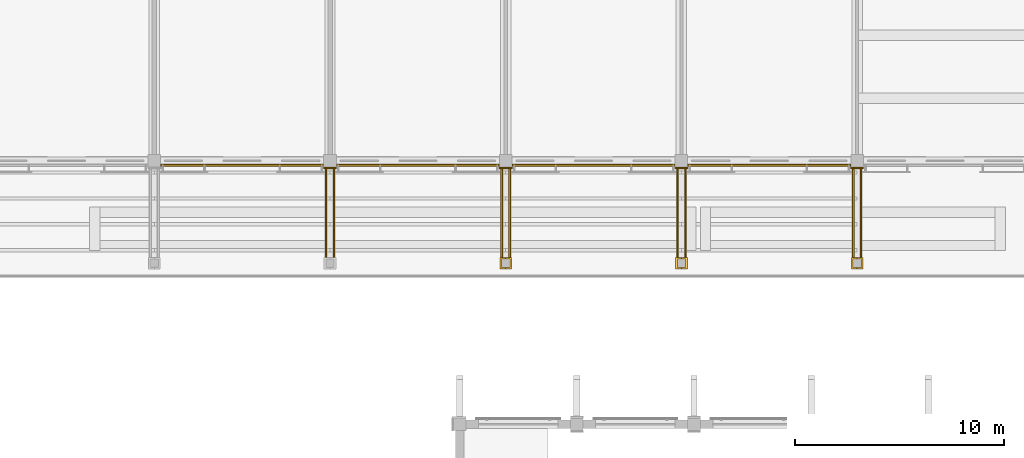
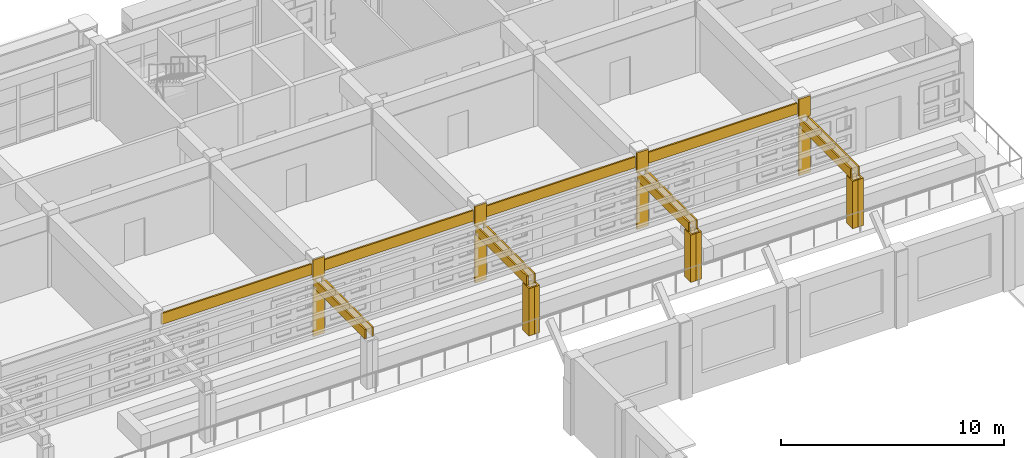
# One storey, part 61 of 68: 26 coverings.
"""IFC4 building model written with IfcOpenShell, lengths in metres."""

from ifc_helpers import new_model, si_unit, direction, frame, origin, place, context, subcontext, project, spatial, polyline, outline, extrude, material, layer, layer_set, type_object, element, save


model = new_model("IFC4")

# Units and contexts
model_context = context("Model", 3, precision=1e-05, world=origin(), true_north=direction((0.0, 1.0)))
body_context = subcontext(model_context, "Body", "Model", "MODEL_VIEW")
ifc_project = project(units=[si_unit("LENGTHUNIT", "METRE"), si_unit("AREAUNIT", "SQUARE_METRE"), si_unit("VOLUMEUNIT", "CUBIC_METRE"), si_unit("PLANEANGLEUNIT", "RADIAN"), si_unit("MASSUNIT", "GRAM", prefix="KILO")], contexts=[model_context])

# Site, building, storey
site_placement = place(None, origin())
site = spatial("IfcSite", under=ifc_project, at=site_placement, CompositionType="ELEMENT")
building_placement = place(site_placement, origin())
building = spatial("IfcBuilding", under=site, at=building_placement, Name="Wasatch Bagh Community Centre", CompositionType="ELEMENT")
storey_placement = place(building_placement, frame((0.0, 0.0, 8.39990234375)))
storey = spatial("IfcBuildingStorey", under=building, at=storey_placement, Name="L02", CompositionType="ELEMENT", Elevation=8.39990234375)

# Coverings
ifc_material = material(Name="Cast stone cladding", Category="masonry")
ifc_layer_1 = layer(ifc_material, 0.080078125)
ifc_layer_set_1 = layer_set([ifc_layer_1], Name="Cast stone cladding")
covering_type_1 = type_object("IfcCoveringType", Name="CL-B7 beam facing", PredefinedType="CLADDING", material=ifc_layer_set_1)
covering_1_placement = place(storey_placement, frame((0.0, 0.0, 3.320068359375)))
element("IfcCovering", 1, at=covering_1_placement, inside=storey, type_object=covering_type_1, Name="Beam facing", PredefinedType="CLADDING", context=body_context, shape_type="SweptSolid", body=[
    extrude(outline(polyline([(97.89990234375, 78.22509765625), (105.699951171875, 78.22509765625), (105.699951171875, 78.14501953125), (97.89990234375, 78.14501953125), (97.89990234375, 78.22509765625)])), origin(), (0.0, 0.0, 1.0), 0.60009765625),
])
covering_2_placement = place(storey_placement, frame((0.0, 0.0, 3.320068359375)))
element("IfcCovering", 2, at=covering_2_placement, inside=storey, type_object=covering_type_1, Name="Beam facing", PredefinedType="CLADDING", context=body_context, shape_type="SweptSolid", body=[
    extrude(outline(polyline([(106.300048828125, 78.22509765625), (114.10009765625, 78.22509765625), (114.10009765625, 78.14501953125), (106.300048828125, 78.14501953125), (106.300048828125, 78.22509765625)])), origin(), (0.0, 0.0, 1.0), 0.60009765625),
])
covering_3_placement = place(storey_placement, frame((0.0, 0.0, 3.320068359375)))
element("IfcCovering", 3, at=covering_3_placement, inside=storey, type_object=covering_type_1, Name="Beam facing", PredefinedType="CLADDING", context=body_context, shape_type="SweptSolid", body=[
    extrude(outline(polyline([(114.699951171875, 78.22509765625), (122.5, 78.22509765625), (122.5, 78.14501953125), (114.699951171875, 78.14501953125), (114.699951171875, 78.22509765625)])), origin(), (0.0, 0.0, 1.0), 0.60009765625),
])
covering_4_placement = place(storey_placement, frame((0.0, 0.0, 3.320068359375)))
element("IfcCovering", 4, at=covering_4_placement, inside=storey, type_object=covering_type_1, Name="Beam facing", PredefinedType="CLADDING", context=body_context, shape_type="SweptSolid", body=[
    extrude(outline(polyline([(123.10009765625, 78.22509765625), (130.89990234375, 78.22509765625), (130.89990234375, 78.14501953125), (123.10009765625, 78.14501953125), (123.10009765625, 78.22509765625)])), origin(), (0.0, 0.0, 1.0), 0.60009765625),
])
covering_5_placement = place(storey_placement, frame((0.0, 0.0, 2.60009765625)))
element("IfcCovering", 5, at=covering_5_placement, inside=storey, type_object=covering_type_1, Name="Beam facing", PredefinedType="CLADDING", context=body_context, shape_type="SweptSolid", body=[
    extrude(outline(polyline([(106.14990234375, 78.10009765625), (106.14990234375, 73.5), (106.22998046875, 73.5), (106.22998046875, 78.10009765625), (106.14990234375, 78.10009765625)])), origin(), (0.0, 0.0, 1.0), 0.5),
])
covering_6_placement = place(storey_placement, frame((0.0, 0.0, 2.60009765625)))
element("IfcCovering", 6, at=covering_6_placement, inside=storey, type_object=covering_type_1, Name="Beam facing", PredefinedType="CLADDING", context=body_context, shape_type="SweptSolid", body=[
    extrude(outline(polyline([(105.85009765625, 78.10009765625), (105.85009765625, 73.5), (105.77001953125, 73.5), (105.77001953125, 78.10009765625), (105.85009765625, 78.10009765625)])), origin(), (0.0, 0.0, 1.0), 0.5),
])
covering_7_placement = place(storey_placement, frame((0.0, 0.0, 2.60009765625)))
element("IfcCovering", 7, at=covering_7_placement, inside=storey, type_object=covering_type_1, Name="Beam facing", PredefinedType="CLADDING", context=body_context, shape_type="SweptSolid", body=[
    extrude(outline(polyline([(114.550048828125, 78.10009765625), (114.550048828125, 73.5), (114.6298828125, 73.5), (114.6298828125, 78.10009765625), (114.550048828125, 78.10009765625)])), origin(), (0.0, 0.0, 1.0), 0.5),
])
covering_8_placement = place(storey_placement, frame((0.0, 0.0, 2.60009765625)))
element("IfcCovering", 8, at=covering_8_placement, inside=storey, type_object=covering_type_1, Name="Beam facing", PredefinedType="CLADDING", context=body_context, shape_type="SweptSolid", body=[
    extrude(outline(polyline([(114.25, 78.10009765625), (114.25, 73.5), (114.169921875, 73.5), (114.169921875, 78.10009765625), (114.25, 78.10009765625)])), origin(), (0.0, 0.0, 1.0), 0.5),
])
covering_9_placement = place(storey_placement, frame((0.0, 0.0, 2.60009765625)))
element("IfcCovering", 9, at=covering_9_placement, inside=storey, type_object=covering_type_1, Name="Beam facing", PredefinedType="CLADDING", context=body_context, shape_type="SweptSolid", body=[
    extrude(outline(polyline([(122.949951171875, 78.10009765625), (122.949951171875, 73.5), (123.030029296875, 73.5), (123.030029296875, 78.10009765625), (122.949951171875, 78.10009765625)])), origin(), (0.0, 0.0, 1.0), 0.5),
])
covering_10_placement = place(storey_placement, frame((0.0, 0.0, 2.60009765625)))
element("IfcCovering", 10, at=covering_10_placement, inside=storey, type_object=covering_type_1, Name="Beam facing", PredefinedType="CLADDING", context=body_context, shape_type="SweptSolid", body=[
    extrude(outline(polyline([(122.64990234375, 78.10009765625), (122.64990234375, 73.5), (122.570068359375, 73.5), (122.570068359375, 78.10009765625), (122.64990234375, 78.10009765625)])), origin(), (0.0, 0.0, 1.0), 0.5),
])
covering_11_placement = place(storey_placement, frame((0.0, 0.0, 2.60009765625)))
element("IfcCovering", 11, at=covering_11_placement, inside=storey, type_object=covering_type_1, Name="Beam facing", PredefinedType="CLADDING", context=body_context, shape_type="SweptSolid", body=[
    extrude(outline(polyline([(131.35009765625, 78.10009765625), (131.35009765625, 73.5), (131.429931640625, 73.5), (131.429931640625, 78.10009765625), (131.35009765625, 78.10009765625)])), origin(), (0.0, 0.0, 1.0), 0.5),
])
covering_12_placement = place(storey_placement, frame((0.0, 0.0, 2.60009765625)))
element("IfcCovering", 12, at=covering_12_placement, inside=storey, type_object=covering_type_1, Name="Beam facing", PredefinedType="CLADDING", context=body_context, shape_type="SweptSolid", body=[
    extrude(outline(polyline([(131.050048828125, 78.10009765625), (131.050048828125, 73.5), (130.969970703125, 73.5), (130.969970703125, 78.10009765625), (131.050048828125, 78.10009765625)])), origin(), (0.0, 0.0, 1.0), 0.5),
])
ifc_layer_2 = layer(ifc_material, 0.080078125)
ifc_layer_set_2 = layer_set([ifc_layer_2], Name="Cast stone cladding")
covering_type_2 = type_object("IfcCoveringType", Name="CL-C1 column facing", PredefinedType="CLADDING", material=ifc_layer_set_2)
covering_13_placement = place(storey_placement, origin())
element("IfcCovering", 13, at=covering_13_placement, inside=storey, type_object=covering_type_2, Name="Column facing", PredefinedType="CLADDING", context=body_context, shape_type="SweptSolid", body=[
    extrude(outline(polyline([(105.699951171875, 78.10009765625), (106.300048828125, 78.10009765625), (106.300048828125, 78.02001953125), (105.699951171875, 78.02001953125), (105.699951171875, 78.10009765625)])), origin(), (0.0, 0.0, 1.0), 2.60009765625),
])
covering_14_placement = place(storey_placement, frame((0.0, 0.0, 3.10009765625)))
element("IfcCovering", 14, at=covering_14_placement, inside=storey, type_object=covering_type_2, Name="Column facing", PredefinedType="CLADDING", context=body_context, shape_type="SweptSolid", body=[
    extrude(outline(polyline([(105.699951171875, 78.10009765625), (106.300048828125, 78.10009765625), (106.300048828125, 78.02001953125), (105.699951171875, 78.02001953125), (105.699951171875, 78.10009765625)])), origin(), (0.0, 0.0, 1.0), 1.10009765625),
])
covering_15_placement = place(storey_placement, origin())
element("IfcCovering", 15, at=covering_15_placement, inside=storey, type_object=covering_type_2, Name="Column facing", PredefinedType="CLADDING", context=body_context, shape_type="SweptSolid", body=[
    extrude(outline(polyline([(114.10009765625, 78.10009765625), (114.699951171875, 78.10009765625), (114.699951171875, 78.02001953125), (114.10009765625, 78.02001953125), (114.10009765625, 78.10009765625)])), origin(), (0.0, 0.0, 1.0), 2.60009765625),
])
covering_16_placement = place(storey_placement, frame((0.0, 0.0, 3.10009765625)))
element("IfcCovering", 16, at=covering_16_placement, inside=storey, type_object=covering_type_2, Name="Column facing", PredefinedType="CLADDING", context=body_context, shape_type="SweptSolid", body=[
    extrude(outline(polyline([(114.10009765625, 78.10009765625), (114.699951171875, 78.10009765625), (114.699951171875, 78.02001953125), (114.10009765625, 78.02001953125), (114.10009765625, 78.10009765625)])), origin(), (0.0, 0.0, 1.0), 1.10009765625),
])
covering_17_placement = place(storey_placement, origin())
element("IfcCovering", 17, at=covering_17_placement, inside=storey, type_object=covering_type_2, Name="Column facing", PredefinedType="CLADDING", context=body_context, shape_type="SweptSolid", body=[
    extrude(outline(polyline([(122.5, 78.10009765625), (123.10009765625, 78.10009765625), (123.10009765625, 78.02001953125), (122.5, 78.02001953125), (122.5, 78.10009765625)])), origin(), (0.0, 0.0, 1.0), 2.60009765625),
])
covering_18_placement = place(storey_placement, frame((0.0, 0.0, 3.10009765625)))
element("IfcCovering", 18, at=covering_18_placement, inside=storey, type_object=covering_type_2, Name="Column facing", PredefinedType="CLADDING", context=body_context, shape_type="SweptSolid", body=[
    extrude(outline(polyline([(122.5, 78.10009765625), (123.10009765625, 78.10009765625), (123.10009765625, 78.02001953125), (122.5, 78.02001953125), (122.5, 78.10009765625)])), origin(), (0.0, 0.0, 1.0), 1.10009765625),
])
covering_19_placement = place(storey_placement, origin())
element("IfcCovering", 19, at=covering_19_placement, inside=storey, type_object=covering_type_2, Name="Column facing", PredefinedType="CLADDING", context=body_context, shape_type="SweptSolid", body=[
    extrude(outline(polyline([(130.89990234375, 78.10009765625), (131.5, 78.10009765625), (131.5, 78.02001953125), (130.89990234375, 78.02001953125), (130.89990234375, 78.10009765625)])), origin(), (0.0, 0.0, 1.0), 2.60009765625),
])
covering_20_placement = place(storey_placement, frame((0.0, 0.0, 3.10009765625)))
element("IfcCovering", 20, at=covering_20_placement, inside=storey, type_object=covering_type_2, Name="Column facing", PredefinedType="CLADDING", context=body_context, shape_type="SweptSolid", body=[
    extrude(outline(polyline([(130.89990234375, 78.10009765625), (131.5, 78.10009765625), (131.5, 78.02001953125), (130.89990234375, 78.02001953125), (130.89990234375, 78.10009765625)])), origin(), (0.0, 0.0, 1.0), 1.10009765625),
])
covering_21_placement = place(storey_placement, origin())
element("IfcCovering", 21, at=covering_21_placement, inside=storey, type_object=covering_type_2, Name="Column facing", PredefinedType="CLADDING", context=body_context, shape_type="SweptSolid", body=[
    extrude(outline(polyline([(114.1201171875, 73.780029296875), (114.39990234375, 73.780029296875), (114.39990234375, 73.699951171875), (114.199951171875, 73.699951171875), (114.199951171875, 73.300048828125), (114.39990234375, 73.300048828125), (114.39990234375, 73.219970703125), (114.199951171875, 73.219970703125), (114.1201171875, 73.219970703125), (114.1201171875, 73.300048828125), (114.1201171875, 73.699951171875), (114.1201171875, 73.780029296875)])), origin(), (0.0, 0.0, 1.0), 2.60009765625),
])
covering_22_placement = place(storey_placement, origin())
element("IfcCovering", 22, at=covering_22_placement, inside=storey, type_object=covering_type_2, Name="Column facing", PredefinedType="CLADDING", context=body_context, shape_type="SweptSolid", body=[
    extrude(outline(polyline([(114.679931640625, 73.780029296875), (114.679931640625, 73.219970703125), (114.60009765625, 73.219970703125), (114.39990234375, 73.219970703125), (114.39990234375, 73.300048828125), (114.60009765625, 73.300048828125), (114.60009765625, 73.699951171875), (114.39990234375, 73.699951171875), (114.39990234375, 73.780029296875), (114.679931640625, 73.780029296875)])), origin(), (0.0, 0.0, 1.0), 2.60009765625),
])
covering_23_placement = place(storey_placement, origin())
element("IfcCovering", 23, at=covering_23_placement, inside=storey, type_object=covering_type_2, Name="Column facing", PredefinedType="CLADDING", context=body_context, shape_type="SweptSolid", body=[
    extrude(outline(polyline([(122.52001953125, 73.780029296875), (122.800048828125, 73.780029296875), (122.800048828125, 73.699951171875), (122.60009765625, 73.699951171875), (122.60009765625, 73.300048828125), (122.800048828125, 73.300048828125), (122.800048828125, 73.219970703125), (122.60009765625, 73.219970703125), (122.52001953125, 73.219970703125), (122.52001953125, 73.300048828125), (122.52001953125, 73.699951171875), (122.52001953125, 73.780029296875)])), origin(), (0.0, 0.0, 1.0), 2.60009765625),
])
covering_24_placement = place(storey_placement, origin())
element("IfcCovering", 24, at=covering_24_placement, inside=storey, type_object=covering_type_2, Name="Column facing", PredefinedType="CLADDING", context=body_context, shape_type="SweptSolid", body=[
    extrude(outline(polyline([(123.080078125, 73.780029296875), (123.080078125, 73.219970703125), (123.0, 73.219970703125), (122.800048828125, 73.219970703125), (122.800048828125, 73.300048828125), (123.0, 73.300048828125), (123.0, 73.699951171875), (122.800048828125, 73.699951171875), (122.800048828125, 73.780029296875), (123.080078125, 73.780029296875)])), origin(), (0.0, 0.0, 1.0), 2.60009765625),
])
covering_25_placement = place(storey_placement, origin())
element("IfcCovering", 25, at=covering_25_placement, inside=storey, type_object=covering_type_2, Name="Column facing", PredefinedType="CLADDING", context=body_context, shape_type="SweptSolid", body=[
    extrude(outline(polyline([(131.199951171875, 73.780029296875), (131.199951171875, 73.699951171875), (131.0, 73.699951171875), (131.0, 73.300048828125), (131.199951171875, 73.300048828125), (131.199951171875, 73.219970703125), (130.919921875, 73.219970703125), (130.919921875, 73.780029296875), (131.199951171875, 73.780029296875)])), origin(), (0.0, 0.0, 1.0), 2.60009765625),
])
covering_26_placement = place(storey_placement, origin())
element("IfcCovering", 26, at=covering_26_placement, inside=storey, type_object=covering_type_2, Name="Column facing", PredefinedType="CLADDING", context=body_context, shape_type="SweptSolid", body=[
    extrude(outline(polyline([(131.47998046875, 73.780029296875), (131.47998046875, 73.219970703125), (131.199951171875, 73.219970703125), (131.199951171875, 73.300048828125), (131.39990234375, 73.300048828125), (131.39990234375, 73.699951171875), (131.199951171875, 73.699951171875), (131.199951171875, 73.780029296875), (131.47998046875, 73.780029296875)])), origin(), (0.0, 0.0, 1.0), 2.60009765625),
])

save(model, "model.ifc")
